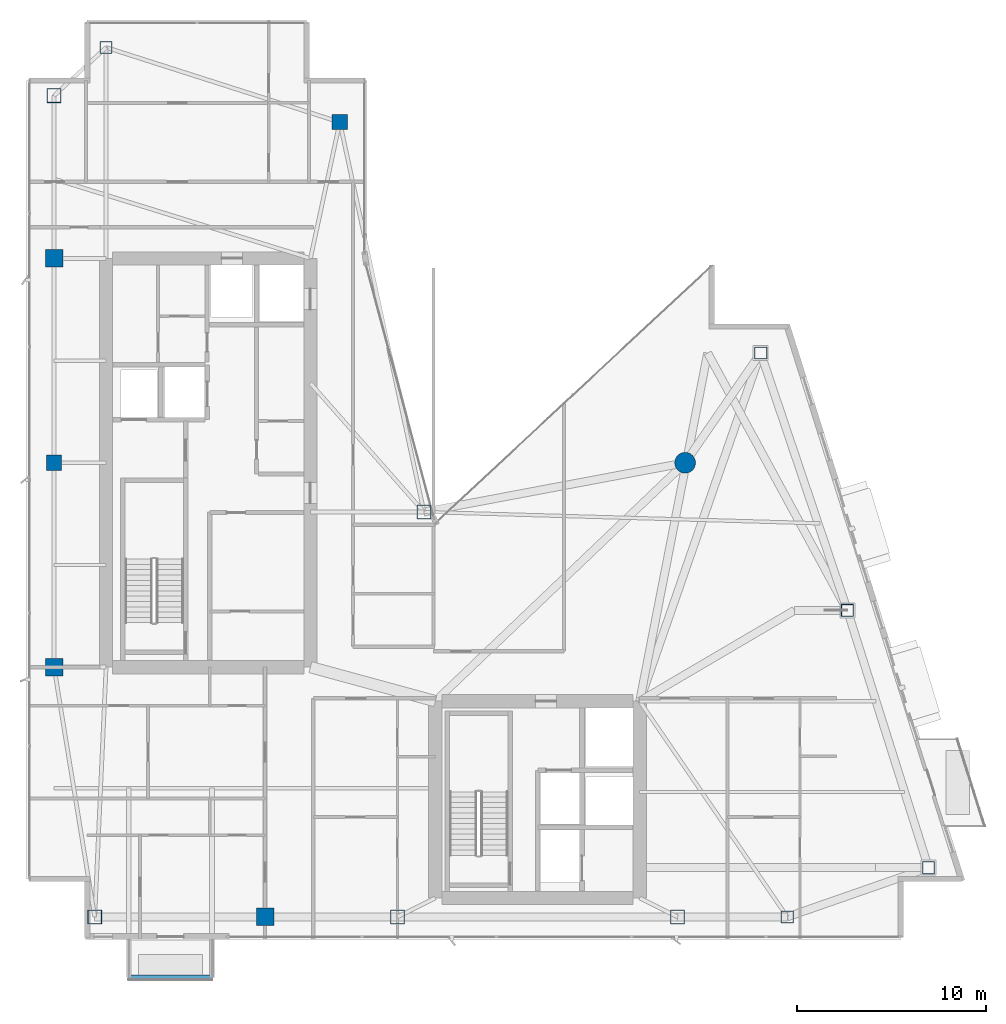
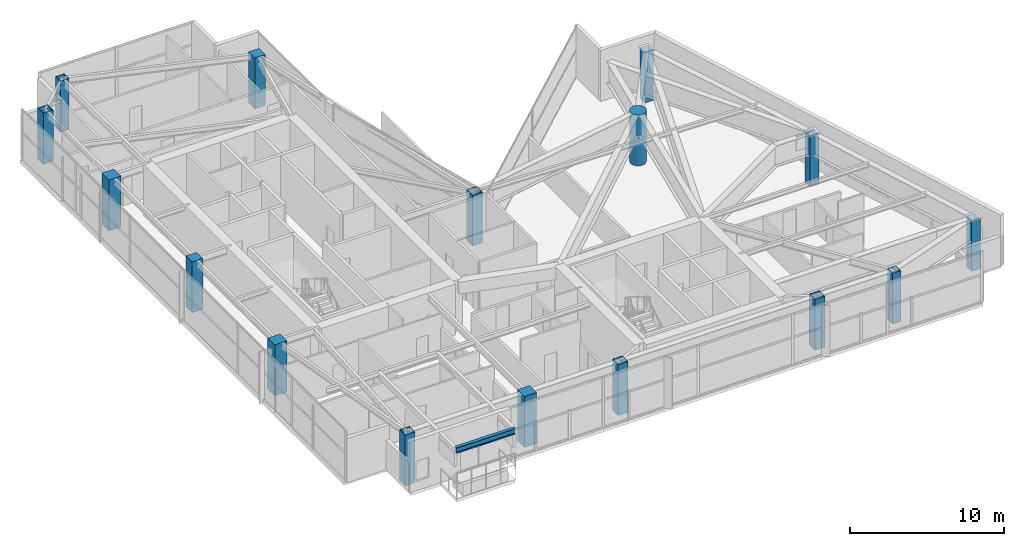
# One storey, part 1 of 27: 16 columns, 1 beam.
"""IFC4 building model written with IfcOpenShell, lengths in metres."""

from ifc_helpers import new_model, si_unit, direction, frame, origin, origin_2d, place, context, subcontext, project, spatial, rectangle, hollow_rectangle, circle, i_section, extrude, material, material_profile, profile_set, type_object, element, save


model = new_model("IFC4")

# Units and contexts
model_context = context("Model", 3, precision=1e-05, world=origin(), true_north=direction((0.0, 1.0)))
body_context = subcontext(model_context, "Body", "Model", "MODEL_VIEW")
ifc_project = project(units=[si_unit("LENGTHUNIT", "METRE"), si_unit("AREAUNIT", "SQUARE_METRE"), si_unit("VOLUMEUNIT", "CUBIC_METRE"), si_unit("PLANEANGLEUNIT", "RADIAN"), si_unit("MASSUNIT", "GRAM", prefix="KILO")], contexts=[model_context])

# Site, building, storey
site_placement = place(None, origin())
site = spatial("IfcSite", under=ifc_project, at=site_placement, CompositionType="ELEMENT")
building_placement = place(site_placement, origin())
building = spatial("IfcBuilding", under=site, at=building_placement, Name="Calvorn Quay Hotel", CompositionType="ELEMENT")
storey_placement = place(building_placement, frame((0.0, 0.0, 239.300048828125)))
storey = spatial("IfcBuildingStorey", under=building, at=storey_placement, Name="L59", CompositionType="ELEMENT", Elevation=239.300048828125)

# Columns
ifc_material_1 = material(Name="Concrete C45", Category="concrete")
ifc_material_profile_1 = material_profile(ifc_material_1, rectangle(XDim=0.800048828125, YDim=0.800048828125, at=origin_2d()), Name="RC800x800")
ifc_profile_set_1 = profile_set([ifc_material_profile_1], Name="Concrete C45")
column_type_1 = type_object("IfcColumnType", Name="COL-RC-800", PredefinedType="COLUMN", material=ifc_profile_set_1)
for number, where, z_axis, x_axis, name in (
    (1, (1.449951171875, 27.60009765625, 0.0), (0.0, 0.0, 1.0), (1.0, 0.0, 0.0), "Column C-W3 (L59)"),
    (2, (16.550048828125, 45.60009765625, 0.0), (0.0, 0.0, 1.0), (1.0, 0.0, 0.0), "Column C-IC1 (L59)"),
):
    element("IfcColumn", number, at=place(storey_placement, frame(where, z_axis=z_axis, x_axis=x_axis)), inside=storey, type_object=column_type_1, Name=name, PredefinedType="COLUMN", context=body_context, shape_type="SweptSolid", body=[
        extrude(rectangle(XDim=0.800048828125, YDim=0.800048828125, at=origin_2d()), origin(), (0.0, 0.0, 1.0), 4.050048828125),
    ])
ifc_material_2 = material(Name="Concrete C45", Category="concrete")
ifc_material_profile_2 = material_profile(ifc_material_2, rectangle(XDim=0.919921875, YDim=0.919921875, at=origin_2d()), Name="RC920x920")
ifc_profile_set_2 = profile_set([ifc_material_profile_2], Name="Concrete C45")
column_type_2 = type_object("IfcColumnType", Name="COL-RC-920", PredefinedType="COLUMN", material=ifc_profile_set_2)
for number, where, z_axis, x_axis, name in (
    (3, (1.449951171875, 16.800048828125, 0.0), (0.0, 0.0, 1.0), (1.0, 0.0, 0.0), "Column C-W2 (L59)"),
    (4, (1.449951171875, 38.39990234375, 0.0), (0.0, 0.0, 1.0), (1.0, 0.0, 0.0), "Column C-W4 (L59)"),
    (5, (12.60009765625, 3.60009765625, 0.0), (0.0, 0.0, 1.0), (1.0, 0.0, 0.0), "Column C-S1 (L59)"),
):
    element("IfcColumn", number, at=place(storey_placement, frame(where, z_axis=z_axis, x_axis=x_axis)), inside=storey, type_object=column_type_2, Name=name, PredefinedType="COLUMN", context=body_context, shape_type="SweptSolid", body=[
        extrude(rectangle(XDim=0.919921875, YDim=0.919921875, at=origin_2d()), origin(), (0.0, 0.0, 1.0), 4.050048828125),
    ])
ifc_material_3 = material(Name="Concrete C50", Category="concrete")
ifc_material_profile_3 = material_profile(ifc_material_3, circle(Radius=0.550048828125, at=origin_2d()), Name="RCD1100")
ifc_profile_set_3 = profile_set([ifc_material_profile_3], Name="Concrete C50")
column_type_3 = type_object("IfcColumnType", Name="COL-RC-D1100", PredefinedType="COLUMN", material=ifc_profile_set_3)
column_placement = place(storey_placement, frame((34.800048828125, 27.60009765625, 0.0), z_axis=(0.0, 0.0, 1.0), x_axis=(1.0, 0.0, 0.0)))
element("IfcColumn", 6, at=column_placement, inside=storey, type_object=column_type_3, Name="Column C-NC1 (L59)", PredefinedType="COLUMN", context=body_context, shape_type="SweptSolid", body=[
    extrude(circle(Radius=0.550048828125, at=origin_2d()), origin(), (0.0, 0.0, 1.0), 4.050048828125),
])
ifc_material_4 = material(Name="Steel Q390GJC", Category="steel")
ifc_material_profile_4 = material_profile(ifc_material_4, hollow_rectangle(XDim=0.75, YDim=0.75, WallThickness=0.031982421875, at=origin_2d()), Name="BOX750x750x32")
ifc_profile_set_4 = profile_set([ifc_material_profile_4], Name="Steel Q390GJC")
column_type_4 = type_object("IfcColumnType", Name="COL-STL-Z3", PredefinedType="COLUMN", material=ifc_profile_set_4)
for number, where, z_axis, x_axis, name in (
    (7, (3.60009765625, 3.60009765625, 0.0), (0.0, 0.0, 1.0), (1.0, 0.0, 0.0), "Column C-W1 (L59)"),
    (8, (1.449951171875, 47.0, 0.0), (0.0, 0.0, 1.0), (1.0, 0.0, 0.0), "Column C-W5 (L59)"),
    (9, (21.0, 25.0, 0.0), (0.0, 0.0, 1.0), (1.0, 0.0, 0.0), "Column C-IC2 (L59)"),
    (10, (19.60009765625, 3.60009765625, 0.0), (0.0, 0.0, 1.0), (1.0, 0.0, 0.0), "Column C-S2 (L59)"),
    (11, (34.39990234375, 3.60009765625, 0.0), (0.0, 0.0, 1.0), (1.0, 0.0, 0.0), "Column C-S3 (L59)"),
):
    element("IfcColumn", number, at=place(storey_placement, frame(where, z_axis=z_axis, x_axis=x_axis)), inside=storey, type_object=column_type_4, Name=name, PredefinedType="COLUMN", context=body_context, shape_type="SweptSolid", body=[
        extrude(hollow_rectangle(XDim=0.75, YDim=0.75, WallThickness=0.031982421875, at=origin_2d()), origin(), (0.0, 0.0, 1.0), 4.050048828125),
    ])
ifc_material_5 = material(Name="Steel Q355B", Category="steel")
ifc_material_profile_5 = material_profile(ifc_material_5, hollow_rectangle(XDim=0.64990234375, YDim=0.64990234375, WallThickness=0.028076171875, at=origin_2d()), Name="BOX650x650x28")
ifc_profile_set_5 = profile_set([ifc_material_profile_5], Name="Steel Q355B")
column_type_5 = type_object("IfcColumnType", Name="COL-STL-Z4", PredefinedType="COLUMN", material=ifc_profile_set_5)
for number, where, z_axis, x_axis, name in (
    (12, (4.199951171875, 49.550048828125, 0.0), (0.0, 0.0, 1.0), (1.0, 0.0, 0.0), "Column C-NW1 (L59)"),
    (13, (40.199951171875, 3.60009765625, 0.0), (0.0, 0.0, 1.0), (1.0, 0.0, 0.0), "Column C-S4 (L59)"),
    (14, (47.660888671875, 6.199951171875, 0.0), (0.0, 0.0, 1.0), (1.0, 0.0, 0.0), "Column C-ET1 (L59)"),
    (15, (43.3759765625, 19.800048828125, 0.0), (0.0, 0.0, 1.0), (1.0, 0.0, 0.0), "Column C-ET2 (L59)"),
    (16, (38.791015625, 33.39990234375, 0.0), (0.0, 0.0, 1.0), (1.0, 0.0, 0.0), "Column C-ET3 (L59)"),
):
    element("IfcColumn", number, at=place(storey_placement, frame(where, z_axis=z_axis, x_axis=x_axis)), inside=storey, type_object=column_type_5, Name=name, PredefinedType="COLUMN", context=body_context, shape_type="SweptSolid", body=[
        extrude(hollow_rectangle(XDim=0.64990234375, YDim=0.64990234375, WallThickness=0.028076171875, at=origin_2d()), origin(), (0.0, 0.0, 1.0), 4.050048828125),
    ])

# Beam
ifc_material_6 = material(Name="Steel Q355B", Category="steel")
ifc_material_profile_6 = material_profile(ifc_material_6, i_section(OverallWidth=0.25, OverallDepth=0.449951171875, WebThickness=0.011962890625, FlangeThickness=0.01611328125, FilletRadius=0.01611328125, at=origin_2d()), Name="HN450x250x12x16")
ifc_profile_set_6 = profile_set([ifc_material_profile_6], Name="Steel Q355B")
beam_type = type_object("IfcBeamType", Name="BM-CANT-BALC", PredefinedType="BEAM", material=ifc_profile_set_6)
beam_placement = place(storey_placement, frame((5.39990234375, 0.409912109375, 3.824951171875), z_axis=(1.0, 0.0, 0.0), x_axis=(0.0, 1.0, 0.0)))
element("IfcBeam", 17, at=beam_placement, inside=storey, type_object=beam_type, Name="Beam BCBO-L60-1", PredefinedType="BEAM", context=body_context, shape_type="SweptSolid", body=[
    extrude(i_section(OverallWidth=0.25, OverallDepth=0.449951171875, WebThickness=0.011962890625, FlangeThickness=0.01611328125, FilletRadius=0.01611328125, at=origin_2d()), origin(), (0.0, 0.0, 1.0), 4.400146484375),
])

save(model, "model.ifc")
